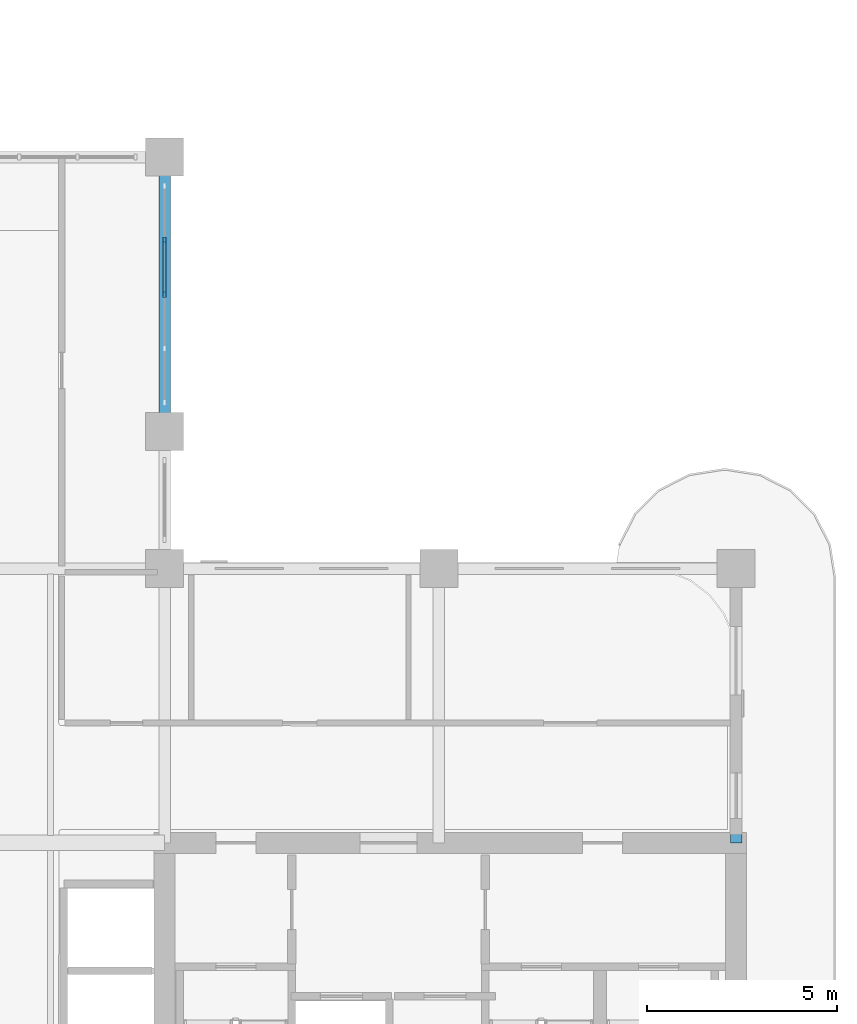
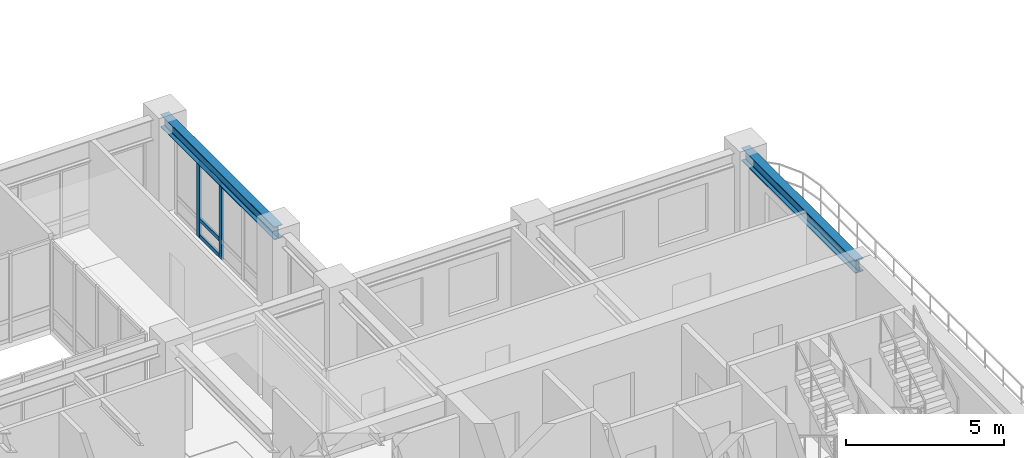
# One storey, part 4 of 20: 5 members, 2 beams, 1 element without a shape of its own.
"""IFC4 building model written with IfcOpenShell, lengths in metres."""

import ifcopenshell
import ifcopenshell.guid

model = None  # the IFC model being written
_history = None  # IfcOwnerHistory: only IFC2X3 demands one
_inside = {}  # id of a spatial element -> (the spatial element, [elements in it])
_under = {}  # id of a project, library or spatial element -> (it, [spatial elements below it])
_declared = {}  # id of a project -> (the project, [libraries it declares])
_typed = {}  # id of a type object -> (the type object, [elements of that type])
_made_of = {}  # id of a material, layer set ... -> (it, [elements and type objects made of it])


def new_model(schema):
    """Start an empty IFC model of exactly this schema.

    Asked for "IFC4X3", IfcOpenShell would pick the latest addendum, in which some entities
    have other attributes; the version numbers below select the first issue.
    IFC2X3 requires an IfcOwnerHistory on every rooted entity: one is made here for all.
    """
    global model, _history
    if schema == "IFC4X3":
        model = ifcopenshell.file(schema_version=(4, 3, 0, 0))
    else:
        model = ifcopenshell.file(schema=schema)
    _inside.clear()
    _under.clear()
    _declared.clear()
    _typed.clear()
    _made_of.clear()
    _history = None
    if model.schema == "IFC2X3":
        org = make("IfcOrganization", Name="unknown")
        user = make(
            "IfcPersonAndOrganization",
            ThePerson=make("IfcPerson", FamilyName="unknown"),
            TheOrganization=org,
        )
        app = make(
            "IfcApplication",
            ApplicationDeveloper=org,
            Version="unknown",
            ApplicationFullName="unknown",
            ApplicationIdentifier="unknown",
        )
        _history = make(
            "IfcOwnerHistory",
            OwningUser=user,
            OwningApplication=app,
            ChangeAction="ADDED",
            CreationDate=0,
        )
    return model


def make(cls, **values):
    """One entity of the class cls with the attributes given. An attribute that is None is left unset."""
    return model.create_entity(
        cls, **{name: value for name, value in values.items() if value is not None}
    )


def rooted(cls, **values):
    """An entity with a GlobalId (a new one), such as an element, a storey or a relation."""
    return make(cls, GlobalId=ifcopenshell.guid.new(), OwnerHistory=_history, **values)


def si_unit(unit_type, name, prefix=None):
    """IfcSIUnit, for example si_unit("LENGTHUNIT", "METRE", prefix="MILLI")."""
    return make("IfcSIUnit", UnitType=unit_type, Prefix=prefix, Name=name)


def derived_unit(unit_type, elements):
    """IfcDerivedUnit: a product of units, each with its exponent."""
    return make(
        "IfcDerivedUnit",
        Elements=[
            make("IfcDerivedUnitElement", Unit=unit, Exponent=power)
            for unit, power in elements
        ],
        UnitType=unit_type,
    )


def assignment(units):
    """IfcUnitAssignment: the units of a project."""
    return None if units is None else make("IfcUnitAssignment", Units=units)


def point(xyz):
    """IfcCartesianPoint."""
    return None if xyz is None else make("IfcCartesianPoint", Coordinates=xyz)


def direction(xyz):
    """IfcDirection."""
    return None if xyz is None else make("IfcDirection", DirectionRatios=xyz)


def frame(location, z_axis=None, x_axis=None):
    """IfcAxis2Placement3D, a coordinate frame: its origin and axes. An axis left out is left unset."""
    return make(
        "IfcAxis2Placement3D",
        Location=point(location),
        Axis=direction(z_axis),
        RefDirection=direction(x_axis),
    )


def frame_2d(location, x_axis=None):
    """IfcAxis2Placement2D, a coordinate frame in the plane: its origin and x axis."""
    return make(
        "IfcAxis2Placement2D", Location=point(location), RefDirection=direction(x_axis)
    )


def origin():
    """The frame at (0, 0, 0) with its axes left unset."""
    return frame((0.0, 0.0, 0.0))


def origin_2d():
    """The frame at (0, 0) in the plane with its x axis left unset."""
    return frame_2d((0.0, 0.0))


def place(relative_to, where):
    """IfcLocalPlacement: puts the frame where relative to a parent placement (None: the world)."""
    return make(
        "IfcLocalPlacement", PlacementRelTo=relative_to, RelativePlacement=where
    )


def context(
    kind, dimensions, precision=None, world=None, true_north=None, identifier=None
):
    """IfcGeometricRepresentationContext, for example the 3D "Model" context."""
    return make(
        "IfcGeometricRepresentationContext",
        ContextIdentifier=identifier,
        ContextType=kind,
        CoordinateSpaceDimension=dimensions,
        Precision=precision,
        WorldCoordinateSystem=world,
        TrueNorth=true_north,
    )


def subcontext(parent, identifier, kind, view, scale=None):
    """IfcGeometricRepresentationSubContext, for example "Body" below "Model"."""
    return make(
        "IfcGeometricRepresentationSubContext",
        ContextIdentifier=identifier,
        ContextType=kind,
        ParentContext=parent,
        TargetScale=scale,
        TargetView=view,
    )


def project(units=None, contexts=None):
    """IfcProject with its units and contexts."""
    return rooted(
        "IfcProject",
        Name="project",
        RepresentationContexts=contexts,
        UnitsInContext=assignment(units),
    )


def spatial(cls, under=None, at=None, **own):
    """A site, building, storey or space (cls), placed at a placement, below another one or the project."""
    s = rooted(cls, ObjectPlacement=at, **own)
    if under is not None:
        _under.setdefault(under.id(), (under, []))[1].append(s)
    return s


def profile(cls, at=None, kind="AREA", **sizes):
    """A parametric profile (cls). Its sizes go by their IFC names, for example OverallWidth=200.0."""
    return make(cls, ProfileType=kind, Position=at, **sizes)


def rectangle(**sizes):
    """IfcRectangleProfileDef."""
    return profile("IfcRectangleProfileDef", **sizes)


def i_section(**sizes):
    """IfcIShapeProfileDef."""
    return profile("IfcIShapeProfileDef", **sizes)


def extrude(swept, where, along, depth):
    """IfcExtrudedAreaSolid: the profile swept, set in the frame where, extruded along a direction by depth."""
    return make(
        "IfcExtrudedAreaSolid",
        SweptArea=swept,
        Position=where,
        ExtrudedDirection=direction(along),
        Depth=depth,
    )


def shape(context_of_items, identifier, shape_type, items):
    """IfcShapeRepresentation: the items that make up one representation, for example the "Body"."""
    return make(
        "IfcShapeRepresentation",
        ContextOfItems=context_of_items,
        RepresentationIdentifier=identifier,
        RepresentationType=shape_type,
        Items=items,
    )


def source(mapping_origin, context_of_items, identifier, shape_type, items):
    """IfcRepresentationMap: a shape defined once, which mapped items show again and again."""
    return make(
        "IfcRepresentationMap",
        MappingOrigin=mapping_origin,
        MappedRepresentation=shape(context_of_items, identifier, shape_type, items),
    )


def transform(
    local_origin,
    x_axis=None,
    y_axis=None,
    z_axis=None,
    scale=None,
    scale2=None,
    scale3=None,
    uniform=True,
):
    """IfcCartesianTransformationOperator3D, or its non-uniform kind. x_axis, y_axis, z_axis: its Axis1, 2, 3."""
    if uniform:
        return make(
            "IfcCartesianTransformationOperator3D",
            Axis1=direction(x_axis),
            Axis2=direction(y_axis),
            LocalOrigin=point(local_origin),
            Scale=scale,
            Axis3=direction(z_axis),
        )
    return make(
        "IfcCartesianTransformationOperator3DnonUniform",
        Axis1=direction(x_axis),
        Axis2=direction(y_axis),
        LocalOrigin=point(local_origin),
        Scale=scale,
        Axis3=direction(z_axis),
        Scale2=scale2,
        Scale3=scale3,
    )


def mapped(mapping_source, mapping_target):
    """IfcMappedItem: shows the shape of a source again, moved by a transform."""
    return make(
        "IfcMappedItem", MappingSource=mapping_source, MappingTarget=mapping_target
    )


def material(Name=None, Category=None):
    """IfcMaterial."""
    return make("IfcMaterial", Name=Name, Category=Category)


def layer(
    of_material, thickness, ventilated=None, Name=None, Category=None, Priority=None
):
    """IfcMaterialLayer: one layer of a wall or slab, of a material (None: an air gap)."""
    return make(
        "IfcMaterialLayer",
        Material=of_material,
        LayerThickness=thickness,
        IsVentilated=ventilated,
        Name=Name,
        Category=Category,
        Priority=Priority,
    )


def layer_set(layers, Name=None):
    """IfcMaterialLayerSet."""
    return make("IfcMaterialLayerSet", MaterialLayers=layers, LayerSetName=Name)


def material_profile(
    of_material, cross_section, Name=None, Category=None, Priority=None
):
    """IfcMaterialProfile: a cross section and its material."""
    return make(
        "IfcMaterialProfile",
        Name=Name,
        Material=of_material,
        Profile=cross_section,
        Priority=Priority,
        Category=Category,
    )


def profile_set(profiles, Name=None, composite=None):
    """IfcMaterialProfileSet."""
    return make(
        "IfcMaterialProfileSet",
        Name=Name,
        MaterialProfiles=profiles,
        CompositeProfile=composite,
    )


def made_of(thing, what):
    """Note that an element or type object is made of a material, layer set ...; save() writes the relation."""
    if what is not None:
        _made_of.setdefault(what.id(), (what, []))[1].append(thing)
    return thing


def type_object(cls, material=None, **own):
    """A type object (cls), such as IfcWallType, which elements share."""
    return made_of(rooted(cls, **own), material)


def type_shapes(of_type, sources):
    """Give a type object the sources (RepresentationMaps) that its elements show as mapped items."""
    of_type.RepresentationMaps = sources


def element(
    cls,
    number,
    at=None,
    inside=None,
    cuts=None,
    type_object=None,
    material=None,
    context=None,
    identifier="Body",
    shape_type=None,
    held_by="IfcProductDefinitionShape",
    body=None,
    shapes=None,
    **own,
):
    """One element of the class cls, such as IfcWall. Its Tag is "e" and its number.

    at: its placement. inside: the storey or other place that contains it. cuts: it is an
    opening in that element (IfcRelVoidsElement). A single representation is given by context,
    identifier, shape_type and body (its items); several are given by shapes. held_by: the class
    of the entity that holds the representations. save() writes the other relations.
    """
    e = rooted(cls, Tag="e%d" % number, ObjectPlacement=at, **own)
    if body is not None:
        shapes = [shape(context, identifier, shape_type, body)]
    if shapes is not None:
        e.Representation = make(held_by, Representations=shapes)
    if inside is not None:
        _inside.setdefault(inside.id(), (inside, []))[1].append(e)
    if cuts is not None:
        rooted(
            "IfcRelVoidsElement", RelatingBuildingElement=cuts, RelatedOpeningElement=e
        )
    if type_object is not None:
        _typed.setdefault(type_object.id(), (type_object, []))[1].append(e)
    return made_of(e, material)


def aggregate(whole, parts):
    """IfcRelAggregates: a whole, such as a stair, and the parts it consists of."""
    return rooted("IfcRelAggregates", RelatingObject=whole, RelatedObjects=parts)


def save(model, path):
    """Write the relations noted so far, then the file.

    IfcRelAggregates (storeys below a building ...), IfcRelContainedInSpatialStructure (elements
    in a storey), IfcRelDefinesByType, IfcRelAssociatesMaterial and IfcRelDeclares: one each for
    every whole, place, type object, material and project.
    """
    for whole, parts in _under.values():
        aggregate(whole, parts)
    for where, things in _inside.values():
        rooted(
            "IfcRelContainedInSpatialStructure",
            RelatedElements=things,
            RelatingStructure=where,
        )
    for kind, things in _typed.values():
        rooted("IfcRelDefinesByType", RelatedObjects=things, RelatingType=kind)
    for what, things in _made_of.values():
        rooted("IfcRelAssociatesMaterial", RelatedObjects=things, RelatingMaterial=what)
    for by, libraries in _declared.values():
        rooted("IfcRelDeclares", RelatingContext=by, RelatedDefinitions=libraries)
    model.write(path)


model = new_model("IFC4")

# Units and contexts
model_context = context("Model", 3, precision=1e-05, world=origin(), true_north=direction((0.0, 1.0)))
body_context = subcontext(model_context, "Body", "Model", "MODEL_VIEW")
ifc_project = project(units=[si_unit("LENGTHUNIT", "METRE"), si_unit("AREAUNIT", "SQUARE_METRE"), si_unit("VOLUMEUNIT", "CUBIC_METRE"), si_unit("PLANEANGLEUNIT", "RADIAN"), si_unit("MASSUNIT", "GRAM", prefix="KILO"), si_unit("THERMODYNAMICTEMPERATUREUNIT", "KELVIN"), si_unit("POWERUNIT", "WATT"), derived_unit("THERMALTRANSMITTANCEUNIT", [(si_unit("POWERUNIT", "WATT"), 1), (si_unit("AREAUNIT", "SQUARE_METRE"), -1), (si_unit("THERMODYNAMICTEMPERATUREUNIT", "KELVIN"), -1)])], contexts=[model_context])

# Site, building, storey
site_placement = place(None, origin())
site = spatial("IfcSite", under=ifc_project, at=site_placement, CompositionType="ELEMENT")
building_placement = place(site_placement, origin())
building = spatial("IfcBuilding", under=site, at=building_placement, Name="Zahravan Archway Hotel and Residences", CompositionType="ELEMENT")
storey_placement = place(building_placement, frame((0.0, 0.0, 115.5)))
storey = spatial("IfcBuildingStorey", under=building, at=storey_placement, Name="L28", CompositionType="ELEMENT", Elevation=115.5)

# Beams
ifc_material_1 = material(Name="Structural Steel S355JR", Category="steel")
ifc_material_profile_1 = material_profile(ifc_material_1, i_section(OverallWidth=0.300048828125, OverallDepth=0.5, WebThickness=0.014404296875, FlangeThickness=0.028076171875, FilletRadius=0.027099609375, at=origin_2d()), Name="HEB 500", Category="steel")
ifc_profile_set_1 = profile_set([ifc_material_profile_1], Name="Structural Steel S355JR")
beam_type = type_object("IfcBeamType", Name="BM-PRI-HEB500", PredefinedType="BEAM", material=ifc_profile_set_1)
shared_shape_1 = source(origin(), body_context, "Body", "SweptSolid", [
    extrude(i_section(OverallWidth=0.300048828125, OverallDepth=0.5, WebThickness=0.014404296875, FlangeThickness=0.028076171875, FilletRadius=0.027099609375, at=origin_2d()), origin(), (0.0, 0.0, 1.0), 7.2001953125),
])
type_shapes(beam_type, [shared_shape_1])
beam_1_placement = place(storey_placement, frame((49.800048828125, 14.39990234375, 3.199951171875), z_axis=(0.0, 1.0, 0.0), x_axis=(-1.0, 0.0, 0.0)))
element("IfcBeam", 1, at=beam_1_placement, inside=storey, type_object=beam_type, Name="L28 Primary Girder NS-45", PredefinedType="BEAM", context=body_context, shape_type="MappedRepresentation", body=[
    mapped(shared_shape_1, transform((0.0, 0.0, 0.0), scale=1.0)),
])
shared_shape_2 = source(origin(), body_context, "Body", "SweptSolid", [
    extrude(i_section(OverallWidth=0.300048828125, OverallDepth=0.5, WebThickness=0.014404296875, FlangeThickness=0.028076171875, FilletRadius=0.027099609375, at=origin_2d()), origin(), (0.0, 0.0, 1.0), 7.199951171875),
])
beam_2_placement = place(storey_placement, frame((34.800048828125, 25.199951171875, 3.199951171875), z_axis=(0.0, 1.0, 0.0), x_axis=(-1.0, 0.0, 0.0)))
element("IfcBeam", 2, at=beam_2_placement, inside=storey, type_object=beam_type, Name="L28 Primary Girder NS-43", PredefinedType="BEAM", context=body_context, shape_type="MappedRepresentation", body=[
    mapped(shared_shape_2, transform((0.0, 0.0, 0.0), scale=1.0)),
])

# Curtain wall, members
ifc_material_2 = material(Name="Bronze-Anodized Unitised Aluminium & Low-E Glass", Category="aluminium")
ifc_layer = layer(ifc_material_2, 0.179931640625, Name="Bronze-Anodized Unitised Aluminium & Low-E Glass", Category="aluminium")
ifc_layer_set = layer_set([ifc_layer], Name="Bronze-Anodized Unitised Aluminium & Low-E Glass")
curtain_wall_type = type_object("IfcCurtainWallType", Name="CW-ATR-GLAZ", PredefinedType="NOTDEFINED", material=ifc_layer_set)
curtain_wall_placement = place(storey_placement, origin())
curtain_wall = element("IfcCurtainWall", 3, at=curtain_wall_placement, inside=storey, type_object=curtain_wall_type, Name="L28 Curtain Wall CW-L28-HNG-E-2", PredefinedType="NOTDEFINED")
ifc_material_3 = material(Name="Bronze-Anodized Extruded Aluminium", Category="aluminium")
ifc_material_profile_2 = material_profile(ifc_material_3, rectangle(XDim=0.080078125, YDim=0.139892578125, at=origin_2d()), Name="TRN 80x140", Category="aluminium")
ifc_profile_set_2 = profile_set([ifc_material_profile_2], Name="Bronze-Anodized Extruded Aluminium")
member_type_1 = type_object("IfcMemberType", Name="CWM-TRN-140", PredefinedType="USERDEFINED", material=ifc_profile_set_2)
shared_shape_3 = source(origin(), body_context, "Body", "SweptSolid", [
    extrude(rectangle(XDim=0.080078125, YDim=0.139892578125, at=origin_2d()), origin(), (0.0, 0.0, 1.0), 1.33984375),
])
member_1_placement = place(storey_placement, frame((34.800048828125, 28.840087890625, 0.070068359375), z_axis=(0.0, 1.0, 0.0), x_axis=(-1.0, 0.0, 0.0)))
member_1 = element("IfcMember", 4, at=member_1_placement, type_object=member_type_1, Name="CW-L28-HNG-E-2 Transom 2-1", ObjectType="TRANSOM", PredefinedType="USERDEFINED", context=body_context, shape_type="MappedRepresentation", body=[
    mapped(shared_shape_3, transform((0.0, 0.0, 0.0), scale=1.0)),
])
member_2_placement = place(storey_placement, frame((34.800048828125, 28.840087890625, 0.704345703125), z_axis=(0.0, 1.0, 0.0), x_axis=(-1.0, 0.0, 0.0)))
member_2 = element("IfcMember", 5, at=member_2_placement, type_object=member_type_1, Name="CW-L28-HNG-E-2 Transom 2-2", ObjectType="TRANSOM", PredefinedType="USERDEFINED", context=body_context, shape_type="MappedRepresentation", body=[
    mapped(shared_shape_3, transform((0.0, 0.0, 0.0), scale=1.0)),
])
member_3_placement = place(storey_placement, frame((34.800048828125, 28.840087890625, 2.864990234375), z_axis=(0.0, 1.0, 0.0), x_axis=(-1.0, 0.0, 0.0)))
member_3 = element("IfcMember", 6, at=member_3_placement, type_object=member_type_1, Name="CW-L28-HNG-E-2 Transom 2-3", ObjectType="TRANSOM", PredefinedType="USERDEFINED", context=body_context, shape_type="MappedRepresentation", body=[
    mapped(shared_shape_3, transform((0.0, 0.0, 0.0), scale=1.0)),
])
ifc_material_profile_3 = material_profile(ifc_material_3, rectangle(XDim=0.080078125, YDim=0.159912109375, at=origin_2d()), Name="MUL 80x160", Category="aluminium")
ifc_profile_set_3 = profile_set([ifc_material_profile_3], Name="Bronze-Anodized Extruded Aluminium")
member_type_2 = type_object("IfcMemberType", Name="CWM-MUL-160", PredefinedType="MULLION", material=ifc_profile_set_3)
shared_shape_4 = source(origin(), body_context, "Body", "SweptSolid", [
    extrude(rectangle(XDim=0.080078125, YDim=0.159912109375, at=origin_2d()), origin(), (0.0, 0.0, 1.0), 2.93505859375),
])
member_4_placement = place(storey_placement, frame((34.800048828125, 28.800048828125, 0.0), z_axis=(0.0, 0.0, 1.0), x_axis=(1.0, 0.0, 0.0)))
member_4 = element("IfcMember", 7, at=member_4_placement, type_object=member_type_2, Name="CW-L28-HNG-E-2 Mullion 2", PredefinedType="MULLION", context=body_context, shape_type="MappedRepresentation", body=[
    mapped(shared_shape_4, transform((0.0, 0.0, 0.0), scale=1.0)),
])
member_5_placement = place(storey_placement, frame((34.800048828125, 30.219970703125, 0.0), z_axis=(0.0, 0.0, 1.0), x_axis=(1.0, 0.0, 0.0)))
member_5 = element("IfcMember", 8, at=member_5_placement, type_object=member_type_2, Name="CW-L28-HNG-E-2 Mullion 3", PredefinedType="MULLION", context=body_context, shape_type="MappedRepresentation", body=[
    mapped(shared_shape_4, transform((0.0, 0.0, 0.0), scale=1.0)),
])
aggregate(curtain_wall, [member_4, member_5, member_1, member_2, member_3])

save(model, "model.ifc")
